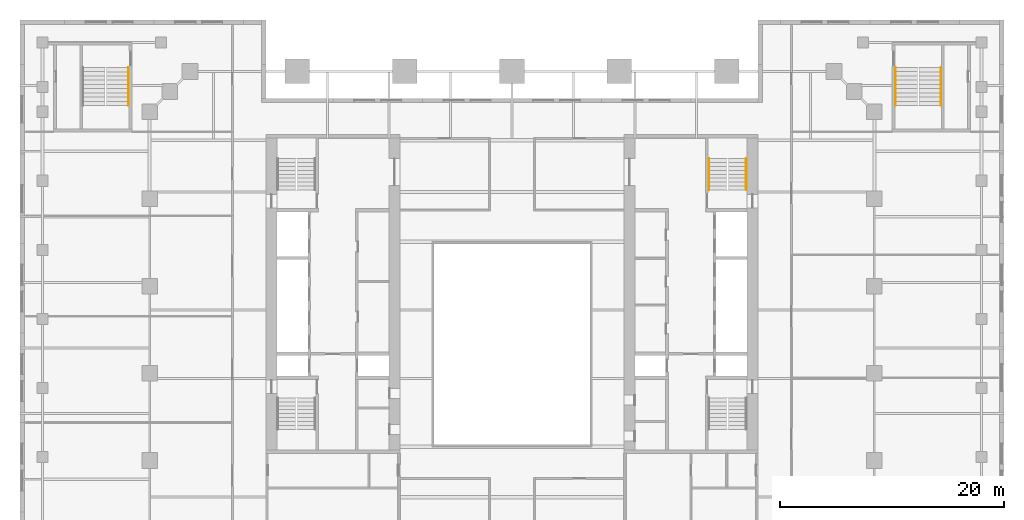
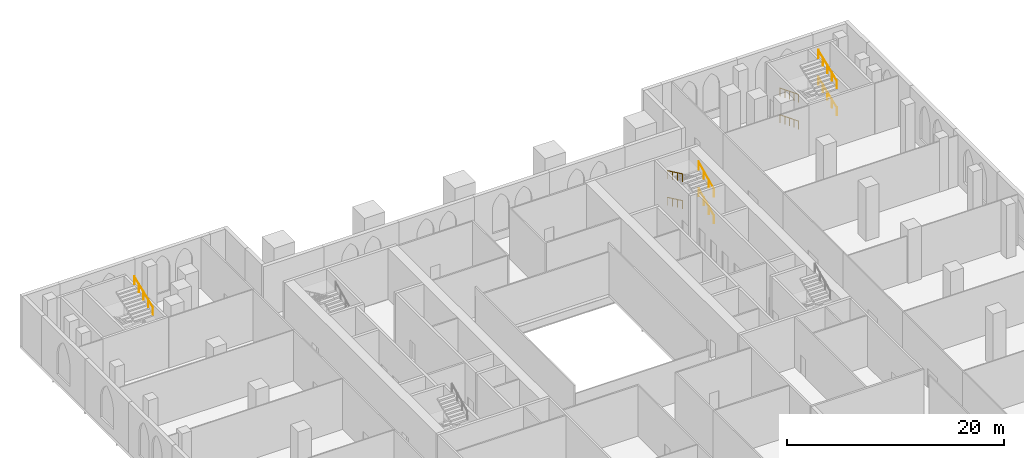
# One storey, part 21 of 21: 9 railings.
"""IFC4 building model written with IfcOpenShell, lengths in metres."""

from ifc_helpers import new_model, si_unit, direction, frame, origin, origin_2d, place, context, subcontext, project, spatial, circle, extrude, material, type_object, element, save


model = new_model("IFC4")

# Units and contexts
model_context = context("Model", 3, precision=1e-05, world=origin(), true_north=direction((0.0, 1.0)))
body_context = subcontext(model_context, "Body", "Model", "MODEL_VIEW")
ifc_project = project(units=[si_unit("LENGTHUNIT", "METRE"), si_unit("AREAUNIT", "SQUARE_METRE"), si_unit("VOLUMEUNIT", "CUBIC_METRE"), si_unit("PLANEANGLEUNIT", "RADIAN"), si_unit("MASSUNIT", "GRAM", prefix="KILO")], contexts=[model_context])

# Site, building, storey
site_placement = place(None, origin())
site = spatial("IfcSite", under=ifc_project, at=site_placement, CompositionType="ELEMENT")
building_placement = place(site_placement, origin())
building = spatial("IfcBuilding", under=site, at=building_placement, Name="Ogive Exchange Tower", CompositionType="ELEMENT")
storey_placement = place(building_placement, frame((0.0, 0.0, 8.0)))
storey = spatial("IfcBuildingStorey", under=building, at=storey_placement, Name="L01", CompositionType="ELEMENT", Elevation=8.0)

# Railings
ifc_material = material(Name="Stainless steel", Category="steel")
railing_type = type_object("IfcRailingType", Name="Stair handrail 900", PredefinedType="HANDRAIL", material=ifc_material)
railing_1_placement = place(storey_placement, frame((20.949951171875, 20.800048828125, 0.166748046875)))
element("IfcRailing", 1, at=railing_1_placement, inside=storey, type_object=railing_type, Name="L01 ST4 stair handrail 1", PredefinedType="HANDRAIL", context=body_context, shape_type="SweptSolid", body=[
    extrude(circle(Radius=0.02392578125, at=origin_2d()), frame((0.0, 0.0, 0.8759765625), z_axis=(0.0, 0.903337615296, 0.428930242338), x_axis=(-1.0, 0.0, 0.0)), (0.0, 0.0, 1.0), 3.1083984375),
    extrude(circle(Radius=0.02099609375, at=origin_2d()), origin(), (0.0, 0.0, 1.0), 0.851806640625),
    extrude(circle(Radius=0.02099609375, at=origin_2d()), frame((0.0, 0.93603515625, 0.4443359375)), (0.0, 0.0, 1.0), 0.851806640625),
    extrude(circle(Radius=0.02099609375, at=origin_2d()), frame((0.0, 1.871826171875, 0.888916015625)), (0.0, 0.0, 1.0), 0.851806640625),
    extrude(circle(Radius=0.02099609375, at=origin_2d()), frame((0.0, 2.807861328125, 1.333251953125)), (0.0, 0.0, 1.0), 0.851806640625),
])
railing_2_placement = place(storey_placement, frame((17.60009765625, 23.60791015625, 1.666748046875)))
element("IfcRailing", 2, at=railing_2_placement, inside=storey, type_object=railing_type, Name="L01 ST4 stair handrail 2", PredefinedType="HANDRAIL", context=body_context, shape_type="SweptSolid", body=[
    extrude(circle(Radius=0.02392578125, at=origin_2d()), frame((0.0, 0.0, 0.8759765625), z_axis=(0.0, -0.903337615296, 0.428930242338), x_axis=(1.0, 0.0, 0.0)), (0.0, 0.0, 1.0), 3.1083984375),
    extrude(circle(Radius=0.02099609375, at=origin_2d()), origin(), (0.0, 0.0, 1.0), 0.851806640625),
    extrude(circle(Radius=0.02099609375, at=origin_2d()), frame((0.0, -0.93603515625, 0.4443359375)), (0.0, 0.0, 1.0), 0.851806640625),
    extrude(circle(Radius=0.02099609375, at=origin_2d()), frame((0.0, -1.871826171875, 0.888916015625)), (0.0, 0.0, 1.0), 0.851806640625),
    extrude(circle(Radius=0.02099609375, at=origin_2d()), frame((0.0, -2.807861328125, 1.333251953125)), (0.0, 0.0, 1.0), 0.851806640625),
])
railing_3_placement = place(storey_placement, frame((20.949951171875, 20.800048828125, 3.166748046875)))
element("IfcRailing", 3, at=railing_3_placement, inside=storey, type_object=railing_type, Name="L01 ST4 stair handrail 3", PredefinedType="HANDRAIL", context=body_context, shape_type="SweptSolid", body=[
    extrude(circle(Radius=0.02392578125, at=origin_2d()), frame((0.0, 0.0, 0.8759765625), z_axis=(0.0, 0.903337615296, 0.428930242338), x_axis=(-1.0, 0.0, 0.0)), (0.0, 0.0, 1.0), 3.1083984375),
    extrude(circle(Radius=0.02099609375, at=origin_2d()), origin(), (0.0, 0.0, 1.0), 0.851806640625),
    extrude(circle(Radius=0.02099609375, at=origin_2d()), frame((0.0, 0.93603515625, 0.4443359375)), (0.0, 0.0, 1.0), 0.851806640625),
    extrude(circle(Radius=0.02099609375, at=origin_2d()), frame((0.0, 1.871826171875, 0.888916015625)), (0.0, 0.0, 1.0), 0.851806640625),
    extrude(circle(Radius=0.02099609375, at=origin_2d()), frame((0.0, 2.807861328125, 1.333251953125)), (0.0, 0.0, 1.0), 0.851806640625),
])
railing_4_placement = place(storey_placement, frame((17.60009765625, 23.60791015625, 4.666748046875)))
element("IfcRailing", 4, at=railing_4_placement, inside=storey, type_object=railing_type, Name="L01 ST4 stair handrail 4", PredefinedType="HANDRAIL", context=body_context, shape_type="SweptSolid", body=[
    extrude(circle(Radius=0.02392578125, at=origin_2d()), frame((0.0, 0.0, 0.8759765625), z_axis=(0.0, -0.903337615296, 0.428930242338), x_axis=(1.0, 0.0, 0.0)), (0.0, 0.0, 1.0), 3.1083984375),
    extrude(circle(Radius=0.02099609375, at=origin_2d()), origin(), (0.0, 0.0, 1.0), 0.851806640625),
    extrude(circle(Radius=0.02099609375, at=origin_2d()), frame((0.0, -0.93603515625, 0.4443359375)), (0.0, 0.0, 1.0), 0.851806640625),
    extrude(circle(Radius=0.02099609375, at=origin_2d()), frame((0.0, -1.871826171875, 0.888916015625)), (0.0, 0.0, 1.0), 0.851806640625),
    extrude(circle(Radius=0.02099609375, at=origin_2d()), frame((0.0, -2.807861328125, 1.333251953125)), (0.0, 0.0, 1.0), 0.851806640625),
])
railing_5_placement = place(storey_placement, frame((-34.300048828125, 28.347900390625, 4.64990234375)))
element("IfcRailing", 5, at=railing_5_placement, inside=storey, type_object=railing_type, Name="L01 PS3 stair handrail 4", PredefinedType="HANDRAIL", context=body_context, shape_type="SweptSolid", body=[
    extrude(circle(Radius=0.02392578125, at=origin_2d()), frame((0.0, 0.0, 0.8759765625), z_axis=(0.0, 0.929485266345, 0.368859240968), x_axis=(-1.0, 0.0, 0.0)), (0.0, 0.0, 1.0), 3.66015625),
    extrude(circle(Radius=0.02099609375, at=origin_2d()), origin(), (0.0, 0.0, 1.0), 0.851806640625),
    extrude(circle(Radius=0.02099609375, at=origin_2d()), frame((0.0, 0.8505859375, 0.33740234375)), (0.0, 0.0, 1.0), 0.851806640625),
    extrude(circle(Radius=0.02099609375, at=origin_2d()), frame((0.0, 1.701171875, 0.675048828125)), (0.0, 0.0, 1.0), 0.851806640625),
    extrude(circle(Radius=0.02099609375, at=origin_2d()), frame((0.0, 2.551513671875, 1.0126953125)), (0.0, 0.0, 1.0), 0.851806640625),
    extrude(circle(Radius=0.02099609375, at=origin_2d()), frame((0.0, 3.402099609375, 1.35009765625)), (0.0, 0.0, 1.0), 0.851806640625),
])
railing_6_placement = place(storey_placement, frame((34.300048828125, 31.75, 0.14990234375)))
element("IfcRailing", 6, at=railing_6_placement, inside=storey, type_object=railing_type, Name="L01 PS4 stair handrail 1", PredefinedType="HANDRAIL", context=body_context, shape_type="SweptSolid", body=[
    extrude(circle(Radius=0.02392578125, at=origin_2d()), frame((0.0, 0.0, 0.8759765625), z_axis=(0.0, -0.929485266345, 0.368859240968), x_axis=(1.0, 0.0, 0.0)), (0.0, 0.0, 1.0), 3.66015625),
    extrude(circle(Radius=0.02099609375, at=origin_2d()), origin(), (0.0, 0.0, 1.0), 0.851806640625),
    extrude(circle(Radius=0.02099609375, at=origin_2d()), frame((0.0, -0.8505859375, 0.33740234375)), (0.0, 0.0, 1.0), 0.851806640625),
    extrude(circle(Radius=0.02099609375, at=origin_2d()), frame((0.0, -1.701171875, 0.675048828125)), (0.0, 0.0, 1.0), 0.851806640625),
    extrude(circle(Radius=0.02099609375, at=origin_2d()), frame((0.0, -2.551513671875, 1.0126953125)), (0.0, 0.0, 1.0), 0.851806640625),
    extrude(circle(Radius=0.02099609375, at=origin_2d()), frame((0.0, -3.402099609375, 1.35009765625)), (0.0, 0.0, 1.0), 0.851806640625),
])
railing_7_placement = place(storey_placement, frame((38.35009765625, 28.347900390625, 1.64990234375)))
element("IfcRailing", 7, at=railing_7_placement, inside=storey, type_object=railing_type, Name="L01 PS4 stair handrail 2", PredefinedType="HANDRAIL", context=body_context, shape_type="SweptSolid", body=[
    extrude(circle(Radius=0.02392578125, at=origin_2d()), frame((0.0, 0.0, 0.8759765625), z_axis=(0.0, 0.929485266345, 0.368859240968), x_axis=(-1.0, 0.0, 0.0)), (0.0, 0.0, 1.0), 3.66015625),
    extrude(circle(Radius=0.02099609375, at=origin_2d()), origin(), (0.0, 0.0, 1.0), 0.851806640625),
    extrude(circle(Radius=0.02099609375, at=origin_2d()), frame((0.0, 0.8505859375, 0.33740234375)), (0.0, 0.0, 1.0), 0.851806640625),
    extrude(circle(Radius=0.02099609375, at=origin_2d()), frame((0.0, 1.701171875, 0.675048828125)), (0.0, 0.0, 1.0), 0.851806640625),
    extrude(circle(Radius=0.02099609375, at=origin_2d()), frame((0.0, 2.551513671875, 1.0126953125)), (0.0, 0.0, 1.0), 0.851806640625),
    extrude(circle(Radius=0.02099609375, at=origin_2d()), frame((0.0, 3.402099609375, 1.35009765625)), (0.0, 0.0, 1.0), 0.851806640625),
])
railing_8_placement = place(storey_placement, frame((34.300048828125, 31.75, 3.14990234375)))
element("IfcRailing", 8, at=railing_8_placement, inside=storey, type_object=railing_type, Name="L01 PS4 stair handrail 3", PredefinedType="HANDRAIL", context=body_context, shape_type="SweptSolid", body=[
    extrude(circle(Radius=0.02392578125, at=origin_2d()), frame((0.0, 0.0, 0.8759765625), z_axis=(0.0, -0.929485266345, 0.368859240968), x_axis=(1.0, 0.0, 0.0)), (0.0, 0.0, 1.0), 3.66015625),
    extrude(circle(Radius=0.02099609375, at=origin_2d()), origin(), (0.0, 0.0, 1.0), 0.851806640625),
    extrude(circle(Radius=0.02099609375, at=origin_2d()), frame((0.0, -0.8505859375, 0.33740234375)), (0.0, 0.0, 1.0), 0.851806640625),
    extrude(circle(Radius=0.02099609375, at=origin_2d()), frame((0.0, -1.701171875, 0.675048828125)), (0.0, 0.0, 1.0), 0.851806640625),
    extrude(circle(Radius=0.02099609375, at=origin_2d()), frame((0.0, -2.551513671875, 1.0126953125)), (0.0, 0.0, 1.0), 0.851806640625),
    extrude(circle(Radius=0.02099609375, at=origin_2d()), frame((0.0, -3.402099609375, 1.35009765625)), (0.0, 0.0, 1.0), 0.851806640625),
])
railing_9_placement = place(storey_placement, frame((38.35009765625, 28.347900390625, 4.64990234375)))
element("IfcRailing", 9, at=railing_9_placement, inside=storey, type_object=railing_type, Name="L01 PS4 stair handrail 4", PredefinedType="HANDRAIL", context=body_context, shape_type="SweptSolid", body=[
    extrude(circle(Radius=0.02392578125, at=origin_2d()), frame((0.0, 0.0, 0.8759765625), z_axis=(0.0, 0.929485266345, 0.368859240968), x_axis=(-1.0, 0.0, 0.0)), (0.0, 0.0, 1.0), 3.66015625),
    extrude(circle(Radius=0.02099609375, at=origin_2d()), origin(), (0.0, 0.0, 1.0), 0.851806640625),
    extrude(circle(Radius=0.02099609375, at=origin_2d()), frame((0.0, 0.8505859375, 0.33740234375)), (0.0, 0.0, 1.0), 0.851806640625),
    extrude(circle(Radius=0.02099609375, at=origin_2d()), frame((0.0, 1.701171875, 0.675048828125)), (0.0, 0.0, 1.0), 0.851806640625),
    extrude(circle(Radius=0.02099609375, at=origin_2d()), frame((0.0, 2.551513671875, 1.0126953125)), (0.0, 0.0, 1.0), 0.851806640625),
    extrude(circle(Radius=0.02099609375, at=origin_2d()), frame((0.0, 3.402099609375, 1.35009765625)), (0.0, 0.0, 1.0), 0.851806640625),
])

save(model, "model.ifc")
